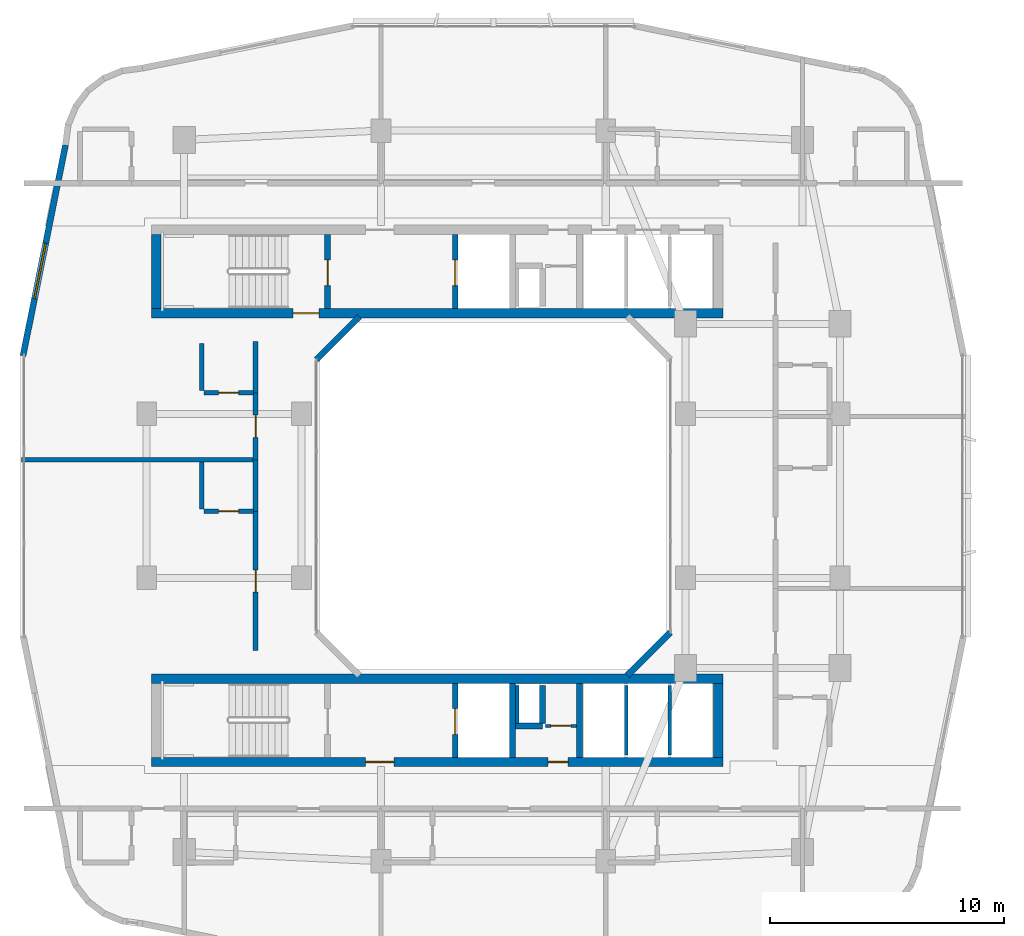
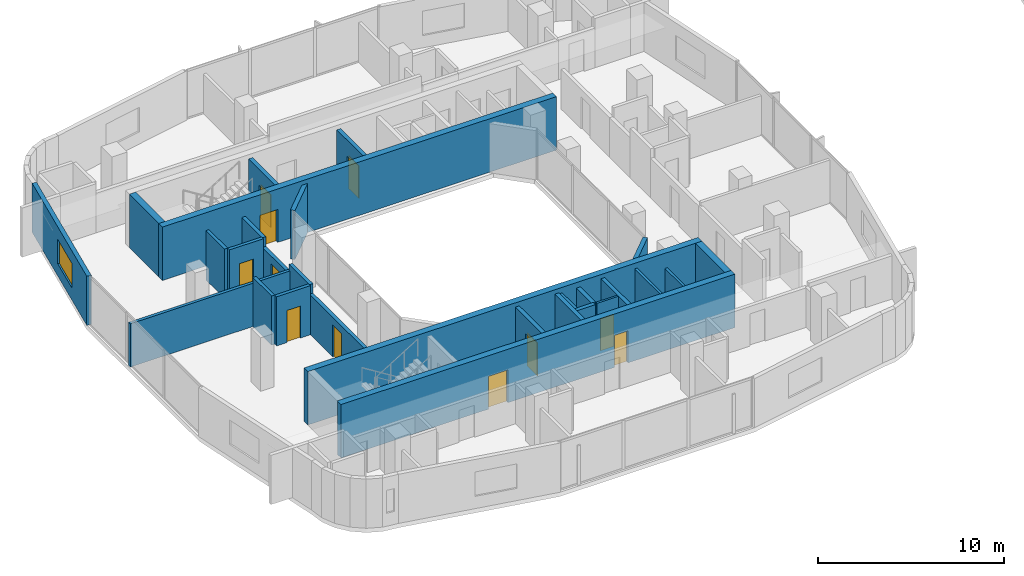
# One storey, part 13 of 26: 28 walls, 11 doors, 1 window, 12 openings.
"""IFC4 building model written with IfcOpenShell, lengths in metres."""

import ifcopenshell
import ifcopenshell.guid

model = None  # the IFC model being written
_history = None  # IfcOwnerHistory: only IFC2X3 demands one
_inside = {}  # id of a spatial element -> (the spatial element, [elements in it])
_under = {}  # id of a project, library or spatial element -> (it, [spatial elements below it])
_declared = {}  # id of a project -> (the project, [libraries it declares])
_typed = {}  # id of a type object -> (the type object, [elements of that type])
_made_of = {}  # id of a material, layer set ... -> (it, [elements and type objects made of it])


def new_model(schema):
    """Start an empty IFC model of exactly this schema.

    Asked for "IFC4X3", IfcOpenShell would pick the latest addendum, in which some entities
    have other attributes; the version numbers below select the first issue.
    IFC2X3 requires an IfcOwnerHistory on every rooted entity: one is made here for all.
    """
    global model, _history
    if schema == "IFC4X3":
        model = ifcopenshell.file(schema_version=(4, 3, 0, 0))
    else:
        model = ifcopenshell.file(schema=schema)
    _inside.clear()
    _under.clear()
    _declared.clear()
    _typed.clear()
    _made_of.clear()
    _history = None
    if model.schema == "IFC2X3":
        org = make("IfcOrganization", Name="unknown")
        user = make(
            "IfcPersonAndOrganization",
            ThePerson=make("IfcPerson", FamilyName="unknown"),
            TheOrganization=org,
        )
        app = make(
            "IfcApplication",
            ApplicationDeveloper=org,
            Version="unknown",
            ApplicationFullName="unknown",
            ApplicationIdentifier="unknown",
        )
        _history = make(
            "IfcOwnerHistory",
            OwningUser=user,
            OwningApplication=app,
            ChangeAction="ADDED",
            CreationDate=0,
        )
    return model


def make(cls, **values):
    """One entity of the class cls with the attributes given. An attribute that is None is left unset."""
    return model.create_entity(
        cls, **{name: value for name, value in values.items() if value is not None}
    )


def rooted(cls, **values):
    """An entity with a GlobalId (a new one), such as an element, a storey or a relation."""
    return make(cls, GlobalId=ifcopenshell.guid.new(), OwnerHistory=_history, **values)


def si_unit(unit_type, name, prefix=None):
    """IfcSIUnit, for example si_unit("LENGTHUNIT", "METRE", prefix="MILLI")."""
    return make("IfcSIUnit", UnitType=unit_type, Prefix=prefix, Name=name)


def derived_unit(unit_type, elements):
    """IfcDerivedUnit: a product of units, each with its exponent."""
    return make(
        "IfcDerivedUnit",
        Elements=[
            make("IfcDerivedUnitElement", Unit=unit, Exponent=power)
            for unit, power in elements
        ],
        UnitType=unit_type,
    )


def assignment(units):
    """IfcUnitAssignment: the units of a project."""
    return None if units is None else make("IfcUnitAssignment", Units=units)


def point(xyz):
    """IfcCartesianPoint."""
    return None if xyz is None else make("IfcCartesianPoint", Coordinates=xyz)


def direction(xyz):
    """IfcDirection."""
    return None if xyz is None else make("IfcDirection", DirectionRatios=xyz)


def frame(location, z_axis=None, x_axis=None):
    """IfcAxis2Placement3D, a coordinate frame: its origin and axes. An axis left out is left unset."""
    return make(
        "IfcAxis2Placement3D",
        Location=point(location),
        Axis=direction(z_axis),
        RefDirection=direction(x_axis),
    )


def frame_2d(location, x_axis=None):
    """IfcAxis2Placement2D, a coordinate frame in the plane: its origin and x axis."""
    return make(
        "IfcAxis2Placement2D", Location=point(location), RefDirection=direction(x_axis)
    )


def origin():
    """The frame at (0, 0, 0) with its axes left unset."""
    return frame((0.0, 0.0, 0.0))


def place(relative_to, where):
    """IfcLocalPlacement: puts the frame where relative to a parent placement (None: the world)."""
    return make(
        "IfcLocalPlacement", PlacementRelTo=relative_to, RelativePlacement=where
    )


def context(
    kind, dimensions, precision=None, world=None, true_north=None, identifier=None
):
    """IfcGeometricRepresentationContext, for example the 3D "Model" context."""
    return make(
        "IfcGeometricRepresentationContext",
        ContextIdentifier=identifier,
        ContextType=kind,
        CoordinateSpaceDimension=dimensions,
        Precision=precision,
        WorldCoordinateSystem=world,
        TrueNorth=true_north,
    )


def subcontext(parent, identifier, kind, view, scale=None):
    """IfcGeometricRepresentationSubContext, for example "Body" below "Model"."""
    return make(
        "IfcGeometricRepresentationSubContext",
        ContextIdentifier=identifier,
        ContextType=kind,
        ParentContext=parent,
        TargetScale=scale,
        TargetView=view,
    )


def project(units=None, contexts=None):
    """IfcProject with its units and contexts."""
    return rooted(
        "IfcProject",
        Name="project",
        RepresentationContexts=contexts,
        UnitsInContext=assignment(units),
    )


def spatial(cls, under=None, at=None, **own):
    """A site, building, storey or space (cls), placed at a placement, below another one or the project."""
    s = rooted(cls, ObjectPlacement=at, **own)
    if under is not None:
        _under.setdefault(under.id(), (under, []))[1].append(s)
    return s


def profile(cls, at=None, kind="AREA", **sizes):
    """A parametric profile (cls). Its sizes go by their IFC names, for example OverallWidth=200.0."""
    return make(cls, ProfileType=kind, Position=at, **sizes)


def rectangle(**sizes):
    """IfcRectangleProfileDef."""
    return profile("IfcRectangleProfileDef", **sizes)


def extrude(swept, where, along, depth):
    """IfcExtrudedAreaSolid: the profile swept, set in the frame where, extruded along a direction by depth."""
    return make(
        "IfcExtrudedAreaSolid",
        SweptArea=swept,
        Position=where,
        ExtrudedDirection=direction(along),
        Depth=depth,
    )


def shape(context_of_items, identifier, shape_type, items):
    """IfcShapeRepresentation: the items that make up one representation, for example the "Body"."""
    return make(
        "IfcShapeRepresentation",
        ContextOfItems=context_of_items,
        RepresentationIdentifier=identifier,
        RepresentationType=shape_type,
        Items=items,
    )


def material(Name=None, Category=None):
    """IfcMaterial."""
    return make("IfcMaterial", Name=Name, Category=Category)


def layer(
    of_material, thickness, ventilated=None, Name=None, Category=None, Priority=None
):
    """IfcMaterialLayer: one layer of a wall or slab, of a material (None: an air gap)."""
    return make(
        "IfcMaterialLayer",
        Material=of_material,
        LayerThickness=thickness,
        IsVentilated=ventilated,
        Name=Name,
        Category=Category,
        Priority=Priority,
    )


def layer_set(layers, Name=None):
    """IfcMaterialLayerSet."""
    return make("IfcMaterialLayerSet", MaterialLayers=layers, LayerSetName=Name)


def made_of(thing, what):
    """Note that an element or type object is made of a material, layer set ...; save() writes the relation."""
    if what is not None:
        _made_of.setdefault(what.id(), (what, []))[1].append(thing)
    return thing


def type_object(cls, material=None, **own):
    """A type object (cls), such as IfcWallType, which elements share."""
    return made_of(rooted(cls, **own), material)


def element(
    cls,
    number,
    at=None,
    inside=None,
    cuts=None,
    type_object=None,
    material=None,
    context=None,
    identifier="Body",
    shape_type=None,
    held_by="IfcProductDefinitionShape",
    body=None,
    shapes=None,
    **own,
):
    """One element of the class cls, such as IfcWall. Its Tag is "e" and its number.

    at: its placement. inside: the storey or other place that contains it. cuts: it is an
    opening in that element (IfcRelVoidsElement). A single representation is given by context,
    identifier, shape_type and body (its items); several are given by shapes. held_by: the class
    of the entity that holds the representations. save() writes the other relations.
    """
    e = rooted(cls, Tag="e%d" % number, ObjectPlacement=at, **own)
    if body is not None:
        shapes = [shape(context, identifier, shape_type, body)]
    if shapes is not None:
        e.Representation = make(held_by, Representations=shapes)
    if inside is not None:
        _inside.setdefault(inside.id(), (inside, []))[1].append(e)
    if cuts is not None:
        rooted(
            "IfcRelVoidsElement", RelatingBuildingElement=cuts, RelatedOpeningElement=e
        )
    if type_object is not None:
        _typed.setdefault(type_object.id(), (type_object, []))[1].append(e)
    return made_of(e, material)


def fill(opening, filler):
    """IfcRelFillsElement: the door or window that sits in an opening."""
    return rooted(
        "IfcRelFillsElement",
        RelatingOpeningElement=opening,
        RelatedBuildingElement=filler,
    )


def aggregate(whole, parts):
    """IfcRelAggregates: a whole, such as a stair, and the parts it consists of."""
    return rooted("IfcRelAggregates", RelatingObject=whole, RelatedObjects=parts)


def save(model, path):
    """Write the relations noted so far, then the file.

    IfcRelAggregates (storeys below a building ...), IfcRelContainedInSpatialStructure (elements
    in a storey), IfcRelDefinesByType, IfcRelAssociatesMaterial and IfcRelDeclares: one each for
    every whole, place, type object, material and project.
    """
    for whole, parts in _under.values():
        aggregate(whole, parts)
    for where, things in _inside.values():
        rooted(
            "IfcRelContainedInSpatialStructure",
            RelatedElements=things,
            RelatingStructure=where,
        )
    for kind, things in _typed.values():
        rooted("IfcRelDefinesByType", RelatedObjects=things, RelatingType=kind)
    for what, things in _made_of.values():
        rooted("IfcRelAssociatesMaterial", RelatedObjects=things, RelatingMaterial=what)
    for by, libraries in _declared.values():
        rooted("IfcRelDeclares", RelatingContext=by, RelatedDefinitions=libraries)
    model.write(path)


model = new_model("IFC4")

# Units and contexts
model_context = context("Model", 3, precision=1e-05, world=origin(), true_north=direction((0.0, 1.0)))
body_context = subcontext(model_context, "Body", "Model", "MODEL_VIEW")
ifc_project = project(units=[si_unit("LENGTHUNIT", "METRE"), si_unit("AREAUNIT", "SQUARE_METRE"), si_unit("VOLUMEUNIT", "CUBIC_METRE"), si_unit("PLANEANGLEUNIT", "RADIAN"), si_unit("MASSUNIT", "GRAM", prefix="KILO"), derived_unit("THERMALTRANSMITTANCEUNIT", [(si_unit("POWERUNIT", "WATT"), 1), (si_unit("LENGTHUNIT", "METRE"), -2), (si_unit("THERMODYNAMICTEMPERATUREUNIT", "KELVIN"), -1)])], contexts=[model_context])

# Site, building, storey
site_placement = place(None, origin())
site = spatial("IfcSite", under=ifc_project, at=site_placement, CompositionType="ELEMENT")
building_placement = place(site_placement, origin())
building = spatial("IfcBuilding", under=site, at=building_placement, Name="Kivonza Crest Hotel", CompositionType="ELEMENT")
storey_placement = place(building_placement, frame((0.0, 0.0, 105.5)))
storey = spatial("IfcBuildingStorey", under=building, at=storey_placement, Name="L28", CompositionType="ELEMENT", Elevation=105.5)

# Walls
ifc_material_1 = material(Name="High-density acoustic masonry inter-tenancy wall", Category="masonry")
ifc_layer_1 = layer(ifc_material_1, 0.179931640625)
ifc_layer_set_1 = layer_set([ifc_layer_1], Name="High-density acoustic masonry inter-tenancy wall")
wall_type_1 = type_object("IfcWallType", Name="WL-ACOU-180", PredefinedType="SOLIDWALL", material=ifc_layer_set_1)
wall_1_placement = place(storey_placement, frame((0.860107421875, 26.5400390625, 0.0), z_axis=(0.0, 0.0, 1.0), x_axis=(1.0, 0.0, 0.0)))
element("IfcWall", 1, at=wall_1_placement, inside=storey, type_object=wall_type_1, Name="L28 interior partition WA-L28-T1W-DIV1", PredefinedType="SOLIDWALL", context=body_context, shape_type="SweptSolid", body=[
    extrude(rectangle(XDim=9.989990234375, YDim=0.179931640625, at=frame_2d((4.9951171875, 0.0))), origin(), (0.0, 0.0, 1.0), 2.8349609375),
])
ifc_material_2 = material(Name="Autoclaved aerated concrete blockwork", Category="masonry")
ifc_layer_2 = layer(ifc_material_2, 0.219970703125)
ifc_layer_set_2 = layer_set([ifc_layer_2], Name="Autoclaved aerated concrete blockwork")
wall_type_2 = type_object("IfcWallType", Name="WL-ACOU-220", PredefinedType="SOLIDWALL", material=ifc_layer_set_2)
wall_2_placement = place(storey_placement, frame((10.85009765625, 24.340087890625, 0.0), z_axis=(0.0, 0.0, 1.0), x_axis=(0.0, 1.0, 0.0)))
element("IfcWall", 2, at=wall_2_placement, inside=storey, type_object=wall_type_2, Name="L28 interior partition WA-L28-W08-BCORR", PredefinedType="SOLIDWALL", context=body_context, shape_type="SweptSolid", body=[
    extrude(rectangle(XDim=2.199951171875, YDim=0.219970703125, at=frame_2d((1.10009765625, 0.0))), origin(), (0.0, 0.0, 1.0), 3.219970703125),
])

# Wall, opening, door
wall_3_placement = place(storey_placement, frame((10.85009765625, 18.39990234375, 0.0), z_axis=(0.0, 0.0, 1.0), x_axis=(0.0, 1.0, 0.0)))
wall_3 = element("IfcWall", 3, at=wall_3_placement, inside=storey, type_object=wall_type_2, Name="L28 interior partition WA-L28-W08-MCORR", PredefinedType="SOLIDWALL", context=body_context, shape_type="SweptSolid", body=[
    extrude(rectangle(XDim=5.940185546875, YDim=0.219970703125, at=frame_2d((2.97021484375, 0.0))), origin(), (0.0, 0.0, 1.0), 2.594970703125),
])
opening_1_placement = place(wall_3_placement, frame((2.4951171875, 0.0, 0.0)))
opening_1 = element("IfcOpeningElement", 4, at=opening_1_placement, cuts=wall_3, Name="Opening DU-60", PredefinedType="OPENING", context=body_context, shape_type="SweptSolid", body=[
    extrude(rectangle(XDim=0.949951171875, YDim=2.10009765625, at=frame_2d((0.47509765625, 1.050048828125))), frame((0.0, 0.1201171875, 0.0), z_axis=(0.0, -1.0, 0.0), x_axis=(1.0, 0.0, 0.0)), (0.0, 0.0, 1.0), 0.239990234375),
])
ifc_material_3 = material(Name="Hardwood timber oak", Category="wood")
door_type_1 = type_object("IfcDoorType", Name="DR-UNIT-950", OperationType="NOTDEFINED", PredefinedType="DOOR", material=ifc_material_3)
door_1_placement = place(opening_1_placement, origin())
door_1 = element("IfcDoor", 5, at=door_1_placement, inside=storey, type_object=door_type_1, Name="L28 W08 guest unit entrance fire door", OperationType="SINGLE_SWING_RIGHT", OverallHeight=2.10009765625, OverallWidth=0.949951171875, PredefinedType="DOOR", context=body_context, shape_type="SweptSolid", body=[
    extrude(rectangle(XDim=0.949951171875, YDim=2.10009765625, at=frame_2d((0.47509765625, 1.050048828125))), frame((0.0, 0.02490234375, 0.0), z_axis=(0.0, -1.0, 0.0), x_axis=(1.0, 0.0, 0.0)), (0.0, 0.0, 1.0), 0.050048828125),
])
fill(opening_1, door_1)

# Wall
wall_4_placement = place(storey_placement, frame((10.85009765625, 29.39990234375, 0.0), z_axis=(0.0, 0.0, 1.0), x_axis=(0.0, 1.0, 0.0)))
element("IfcWall", 6, at=wall_4_placement, inside=storey, type_object=wall_type_2, Name="L28 interior partition WA-L28-W09-BCORR", PredefinedType="SOLIDWALL", context=body_context, shape_type="SweptSolid", body=[
    extrude(rectangle(XDim=2.2001953125, YDim=0.219970703125, at=frame_2d((1.10009765625, 0.0))), origin(), (0.0, 0.0, 1.0), 3.219970703125),
])

# Wall, opening, door
wall_5_placement = place(storey_placement, frame((10.85009765625, 26.5400390625, 0.0), z_axis=(0.0, 0.0, 1.0), x_axis=(0.0, 1.0, 0.0)))
wall_5 = element("IfcWall", 7, at=wall_5_placement, inside=storey, type_object=wall_type_2, Name="L28 interior partition WA-L28-W09-MCORR", PredefinedType="SOLIDWALL", context=body_context, shape_type="SweptSolid", body=[
    extrude(rectangle(XDim=2.85986328125, YDim=0.219970703125, at=frame_2d((1.429931640625, 0.0))), origin(), (0.0, 0.0, 1.0), 2.594970703125),
])
opening_2_placement = place(wall_5_placement, frame((0.955078125, 0.0, 0.0)))
opening_2 = element("IfcOpeningElement", 8, at=opening_2_placement, cuts=wall_5, Name="Opening DU-60", PredefinedType="OPENING", context=body_context, shape_type="SweptSolid", body=[
    extrude(rectangle(XDim=0.949951171875, YDim=2.10009765625, at=frame_2d((0.47509765625, 1.050048828125))), frame((0.0, 0.1201171875, 0.0), z_axis=(0.0, -1.0, 0.0), x_axis=(1.0, 0.0, 0.0)), (0.0, 0.0, 1.0), 0.239990234375),
])
door_2_placement = place(opening_2_placement, origin())
door_2 = element("IfcDoor", 9, at=door_2_placement, inside=storey, type_object=door_type_1, Name="L28 W09 guest unit entrance fire door", OperationType="SINGLE_SWING_LEFT", OverallHeight=2.10009765625, OverallWidth=0.949951171875, PredefinedType="DOOR", context=body_context, shape_type="SweptSolid", body=[
    extrude(rectangle(XDim=0.949951171875, YDim=2.10009765625, at=frame_2d((0.47509765625, 1.050048828125))), frame((0.0, 0.02490234375, 0.0), z_axis=(0.0, -1.0, 0.0), x_axis=(1.0, 0.0, 0.0)), (0.0, 0.0, 1.0), 0.050048828125),
])
fill(opening_2, door_2)

ifc_material_4 = material(Name="Concrete C50/60", Category="concrete")
ifc_layer_3 = layer(ifc_material_4, 0.39990234375)
ifc_layer_set_3 = layer_set([ifc_layer_3], Name="Concrete C50/60")
wall_type_3 = type_object("IfcWallType", Name="WL-CORE-400", PredefinedType="SHEAR", material=ifc_layer_set_3)
wall_6_placement = place(storey_placement, frame((6.39990234375, 32.800048828125, 0.0), z_axis=(0.0, 0.0, 1.0), x_axis=(1.0, 0.0, 0.0)))
wall_6 = element("IfcWall", 10, at=wall_6_placement, inside=storey, type_object=wall_type_3, Name="Core wall T1-N South L28", PredefinedType="SHEAR", context=body_context, shape_type="SweptSolid", body=[
    extrude(rectangle(XDim=24.400146484375, YDim=0.39990234375, at=frame_2d((12.2001953125, 0.0))), origin(), (0.0, 0.0, 1.0), 3.5),
])
opening_3_placement = place(wall_6_placement, frame((6.050048828125, 0.0, 0.0)))
opening_3 = element("IfcOpeningElement", 11, at=opening_3_placement, cuts=wall_6, Name="Opening DF-120", PredefinedType="OPENING", context=body_context, shape_type="SweptSolid", body=[
    extrude(rectangle(XDim=1.10009765625, YDim=2.14990234375, at=frame_2d((0.550048828125, 1.074951171875))), frame((0.0, 0.2099609375, 0.0), z_axis=(0.0, -1.0, 0.0), x_axis=(1.0, 0.0, 0.0)), (0.0, 0.0, 1.0), 0.419921875),
])
ifc_material_5 = material(Name="Galvanised steel", Category="steel")
door_type_2 = type_object("IfcDoorType", Name="DR-FD120-1100", OperationType="NOTDEFINED", PredefinedType="DOOR", material=ifc_material_5)
door_3_placement = place(opening_3_placement, origin())
door_3 = element("IfcDoor", 12, at=door_3_placement, inside=storey, type_object=door_type_2, Name="L28 West corridor stair access fire door", OperationType="SINGLE_SWING_LEFT", OverallHeight=2.14990234375, OverallWidth=1.10009765625, PredefinedType="DOOR", context=body_context, shape_type="SweptSolid", body=[
    extrude(rectangle(XDim=1.10009765625, YDim=2.14990234375, at=frame_2d((0.550048828125, 1.074951171875))), frame((0.0, 0.02490234375, 0.0), z_axis=(0.0, -1.0, 0.0), x_axis=(1.0, 0.0, 0.0)), (0.0, 0.0, 1.0), 0.050048828125),
])
fill(opening_3, door_3)

# Wall
wall_7_placement = place(storey_placement, frame((6.60009765625, 33.0, 0.0), z_axis=(0.0, 0.0, 1.0), x_axis=(0.0, 1.0, 0.0)))
element("IfcWall", 13, at=wall_7_placement, inside=storey, type_object=wall_type_3, Name="Core wall T1-N West L28", PredefinedType="SHEAR", context=body_context, shape_type="SweptSolid", body=[
    extrude(rectangle(XDim=3.159912109375, YDim=0.39990234375, at=frame_2d((1.580078125, 0.0))), origin(), (0.0, 0.0, 1.0), 3.5),
])

# Wall, openings, doors
wall_8_placement = place(storey_placement, frame((6.39990234375, 13.639892578125, 0.0), z_axis=(0.0, 0.0, 1.0), x_axis=(1.0, 0.0, 0.0)))
wall_8 = element("IfcWall", 14, at=wall_8_placement, inside=storey, type_object=wall_type_3, Name="Core wall T1-S South L28", PredefinedType="SHEAR", context=body_context, shape_type="SweptSolid", body=[
    extrude(rectangle(XDim=24.400146484375, YDim=0.39990234375, at=frame_2d((12.2001953125, 0.0))), origin(), (0.0, 0.0, 1.0), 3.5),
])
opening_4_placement = place(wall_8_placement, frame((9.14990234375, 0.0, 0.0)))
opening_4 = element("IfcOpeningElement", 15, at=opening_4_placement, cuts=wall_8, Name="Opening DF-60", PredefinedType="OPENING", context=body_context, shape_type="SweptSolid", body=[
    extrude(rectangle(XDim=1.199951171875, YDim=2.14990234375, at=frame_2d((0.60009765625, 1.074951171875))), frame((0.0, 0.2099609375, 0.0), z_axis=(0.0, -1.0, 0.0), x_axis=(1.0, 0.0, 0.0)), (0.0, 0.0, 1.0), 0.419921875),
])
opening_5_placement = place(wall_8_placement, frame((16.93994140625, 0.0, 0.0)))
opening_5 = element("IfcOpeningElement", 16, at=opening_5_placement, cuts=wall_8, Name="Opening DF-60R", PredefinedType="OPENING", context=body_context, shape_type="SweptSolid", body=[
    extrude(rectangle(XDim=0.85009765625, YDim=2.10009765625, at=frame_2d((0.425048828125, 1.050048828125))), frame((0.0, 0.2099609375, 0.0), z_axis=(0.0, -1.0, 0.0), x_axis=(1.0, 0.0, 0.0)), (0.0, 0.0, 1.0), 0.419921875),
])
door_type_3 = type_object("IfcDoorType", Name="DR-FD60-1200", OperationType="NOTDEFINED", PredefinedType="DOOR", material=ifc_material_3)
door_4_placement = place(opening_4_placement, frame((1.199951171875, 0.0, 0.0), z_axis=(0.0, 0.0, 1.0), x_axis=(-1.0, 0.0, 0.0)))
door_4 = element("IfcDoor", 17, at=door_4_placement, inside=storey, type_object=door_type_3, Name="L28 T1-S firefighting lobby fire door", OperationType="SINGLE_SWING_LEFT", OverallHeight=2.14990234375, OverallWidth=1.199951171875, PredefinedType="DOOR", context=body_context, shape_type="SweptSolid", body=[
    extrude(rectangle(XDim=1.199951171875, YDim=2.14990234375, at=frame_2d((0.60009765625, 1.074951171875))), frame((0.0, 0.02490234375, 0.0), z_axis=(0.0, -1.0, 0.0), x_axis=(1.0, 0.0, 0.0)), (0.0, 0.0, 1.0), 0.050048828125),
])
fill(opening_4, door_4)
door_type_4 = type_object("IfcDoorType", Name="DR-FD60-850", OperationType="NOTDEFINED", PredefinedType="DOOR", material=ifc_material_3)
door_5_placement = place(opening_5_placement, frame((0.85009765625, 0.0, 0.0), z_axis=(0.0, 0.0, 1.0), x_axis=(-1.0, 0.0, 0.0)))
door_5 = element("IfcDoor", 18, at=door_5_placement, inside=storey, type_object=door_type_4, Name="L28 T1-S core room door", OperationType="SINGLE_SWING_RIGHT", OverallHeight=2.10009765625, OverallWidth=0.85009765625, PredefinedType="DOOR", context=body_context, shape_type="SweptSolid", body=[
    extrude(rectangle(XDim=0.85009765625, YDim=2.10009765625, at=frame_2d((0.425048828125, 1.050048828125))), frame((0.0, 0.02490234375, 0.0), z_axis=(0.0, -1.0, 0.0), x_axis=(1.0, 0.0, 0.0)), (0.0, 0.0, 1.0), 0.050048828125),
])
fill(opening_5, door_5)

# Walls
wall_9_placement = place(storey_placement, frame((6.39990234375, 17.199951171875, 0.0), z_axis=(0.0, 0.0, 1.0), x_axis=(1.0, 0.0, 0.0)))
element("IfcWall", 19, at=wall_9_placement, inside=storey, type_object=wall_type_3, Name="Core wall T1-S North L28", PredefinedType="SHEAR", context=body_context, shape_type="SweptSolid", body=[
    extrude(rectangle(XDim=24.400146484375, YDim=0.39990234375, at=frame_2d((12.2001953125, 0.0))), origin(), (0.0, 0.0, 1.0), 3.5),
])
wall_10_placement = place(storey_placement, frame((30.60009765625, 13.840087890625, 0.0), z_axis=(0.0, 0.0, 1.0), x_axis=(0.0, 1.0, 0.0)))
element("IfcWall", 20, at=wall_10_placement, inside=storey, type_object=wall_type_3, Name="Core wall T1-S East L28", PredefinedType="SHEAR", context=body_context, shape_type="SweptSolid", body=[
    extrude(rectangle(XDim=3.159912109375, YDim=0.39990234375, at=frame_2d((1.580078125, 0.0))), origin(), (0.0, 0.0, 1.0), 3.5),
])

# Wall, opening, window
ifc_material_6 = material(Name="Precast concrete C40/50", Category="concrete")
ifc_layer_4 = layer(ifc_material_6, 0.260009765625)
ifc_layer_set_4 = layer_set([ifc_layer_4], Name="Precast concrete C40/50")
wall_type_4 = type_object("IfcWallType", Name="WL-EXT-260", PredefinedType="STANDARD", material=ifc_layer_set_4)
wall_11_placement = place(storey_placement, frame((2.72900390625, 39.98193359375, 0.0), z_axis=(0.0, 0.0, 1.0), x_axis=(-0.197435082048, -0.980315963543, 0.0)))
wall_11 = element("IfcWall", 21, at=wall_11_placement, inside=storey, type_object=wall_type_4, Name="L28 T1 exterior insulated wall 34", PredefinedType="STANDARD", context=body_context, shape_type="SweptSolid", body=[
    extrude(rectangle(XDim=9.1826171875, YDim=0.260009765625, at=frame_2d((4.59130859375, 0.0))), origin(), (0.0, 0.0, 1.0), 3.219970703125),
])
opening_6_placement = place(wall_11_placement, frame((4.285888671875, 0.0, 0.800048828125)))
opening_6 = element("IfcOpeningElement", 22, at=opening_6_placement, cuts=wall_11, Name="Opening WN-05", PredefinedType="OPENING", context=body_context, shape_type="SweptSolid", body=[
    extrude(rectangle(XDim=2.39990234375, YDim=1.60009765625, at=frame_2d((1.199951171875, 0.800048828125))), frame((0.0, 0.14013671875, 0.0), z_axis=(0.0, -1.0, 0.0), x_axis=(1.0, 0.0, 0.0)), (0.0, 0.0, 1.0), 0.280029296875),
])
ifc_material_7 = material(Name="Thermally broken bronze aluminium and low-E double glazing", Category="aluminium")
window_type = type_object("IfcWindowType", Name="WN-240x160", PartitioningType="TRIPLE_PANEL_VERTICAL", PredefinedType="WINDOW", material=ifc_material_7)
window_placement = place(opening_6_placement, origin())
window = element("IfcWindow", 23, at=window_placement, inside=storey, type_object=window_type, Name="L28 T1 facade window 34", OverallHeight=1.60009765625, OverallWidth=2.39990234375, PartitioningType="SINGLE_PANEL", PredefinedType="WINDOW", context=body_context, shape_type="SweptSolid", body=[
    extrude(rectangle(XDim=2.39990234375, YDim=1.60009765625, at=frame_2d((1.199951171875, 0.800048828125))), frame((0.0, 0.030029296875, 0.0), z_axis=(0.0, -1.0, 0.0), x_axis=(1.0, 0.0, 0.0)), (0.0, 0.0, 1.0), 0.06005859375),
])
fill(opening_6, window)

# Walls
for number, where, z_axis, x_axis, name in (
    (24, (26.721923828125, 17.337890625, 0.0), (0.0, 0.0, 1.0), (0.707059717605, 0.707153841636, 0.0), "L28 T1 light-well exterior wall 2"),
    (25, (15.278076171875, 32.662109375, 0.0), (0.0, 0.0, 1.0), (-0.707059717605, -0.707153841636, 0.0), "L28 T1 light-well exterior wall 6"),
):
    element("IfcWall", number, at=place(storey_placement, frame(where, z_axis=z_axis, x_axis=x_axis)), inside=storey, type_object=wall_type_4, Name=name, PredefinedType="STANDARD", context=body_context, shape_type="SweptSolid", body=[
        extrude(rectangle(XDim=2.59375, YDim=0.260009765625, at=frame_2d((1.296875, 0.0))), origin(), (0.0, 0.0, 1.0), 3.219970703125),
    ])
ifc_material_8 = material(Name="Concrete blockwork fire-compartment wall", Category="masonry")
ifc_layer_5 = layer(ifc_material_8, 0.25)
ifc_layer_set_5 = layer_set([ifc_layer_5], Name="Concrete blockwork fire-compartment wall")
wall_type_5 = type_object("IfcWallType", Name="WL-FIRE-250", PredefinedType="SOLIDWALL", material=ifc_layer_set_5)
wall_12_placement = place(storey_placement, frame((23.10009765625, 15.280029296875, 0.0), z_axis=(0.0, 0.0, 1.0), x_axis=(0.0, 1.0, 0.0)))
element("IfcWall", 26, at=wall_12_placement, inside=storey, type_object=wall_type_5, Name="L28 interior partition WA-L28-T1-S-MEPR-E", PredefinedType="SOLIDWALL", context=body_context, shape_type="SweptSolid", body=[
    extrude(rectangle(XDim=1.619873046875, YDim=0.25, at=frame_2d((0.81005859375, 0.0))), origin(), (0.0, 0.0, 1.0), 3.219970703125),
])
wall_13_placement = place(storey_placement, frame((21.949951171875, 15.179931640625, 0.0), z_axis=(0.0, 0.0, 1.0), x_axis=(1.0, 0.0, 0.0)))
element("IfcWall", 27, at=wall_13_placement, inside=storey, type_object=wall_type_5, Name="L28 interior partition WA-L28-T1-S-MEPR-H", PredefinedType="SOLIDWALL", context=body_context, shape_type="SweptSolid", body=[
    extrude(rectangle(XDim=1.150146484375, YDim=0.25, at=frame_2d((0.5751953125, 0.0))), origin(), (0.0, 0.0, 1.0), 3.219970703125),
])

# Wall, opening, door
ifc_material_9 = material(Name="Metal-stud gypsum board partition", Category="gypsum")
ifc_layer_6 = layer(ifc_material_9, 0.125)
ifc_layer_set_6 = layer_set([ifc_layer_6], Name="Metal-stud gypsum board partition")
wall_type_6 = type_object("IfcWallType", Name="WL-PART-125", PredefinedType="PARTITIONING", material=ifc_layer_set_6)
wall_14_placement = place(storey_placement, frame((23.219970703125, 15.179931640625, 0.0), z_axis=(0.0, 0.0, 1.0), x_axis=(1.0, 0.0, 0.0)))
wall_14 = element("IfcWall", 28, at=wall_14_placement, inside=storey, type_object=wall_type_6, Name="L28 interior partition WP-L28-T1-S-SV3H", PredefinedType="PARTITIONING", context=body_context, shape_type="SweptSolid", body=[
    extrude(rectangle(XDim=1.330078125, YDim=0.125, at=frame_2d((0.6650390625, 0.0))), origin(), (0.0, 0.0, 1.0), 3.219970703125),
])
opening_7_placement = place(wall_14_placement, frame((0.239990234375, 0.0, 0.0)))
opening_7 = element("IfcOpeningElement", 29, at=opening_7_placement, cuts=wall_14, Name="Opening DI-85", PredefinedType="OPENING", context=body_context, shape_type="SweptSolid", body=[
    extrude(rectangle(XDim=0.85009765625, YDim=2.10009765625, at=frame_2d((0.425048828125, 1.050048828125))), frame((0.0, 0.072509765625, 0.0), z_axis=(0.0, -1.0, 0.0), x_axis=(1.0, 0.0, 0.0)), (0.0, 0.0, 1.0), 0.14501953125),
])
door_type_5 = type_object("IfcDoorType", Name="DR-INT-850", OperationType="NOTDEFINED", PredefinedType="DOOR", material=ifc_material_3)
door_6_placement = place(opening_7_placement, origin())
door_6 = element("IfcDoor", 30, at=door_6_placement, inside=storey, type_object=door_type_5, Name="L28 T1-S inner manifold door", OperationType="SINGLE_SWING_LEFT", OverallHeight=2.10009765625, OverallWidth=0.85009765625, PredefinedType="DOOR", context=body_context, shape_type="SweptSolid", body=[
    extrude(rectangle(XDim=0.85009765625, YDim=2.10009765625, at=frame_2d((0.425048828125, 1.050048828125))), frame((0.0, 0.02490234375, 0.0), z_axis=(0.0, -1.0, 0.0), x_axis=(1.0, 0.0, 0.0)), (0.0, 0.0, 1.0), 0.050048828125),
])
fill(opening_7, door_6)

# Walls
ifc_material_10 = material(Name="Twin-stud acoustic gypsum board partition", Category="gypsum")
ifc_layer_7 = layer(ifc_material_10, 0.14990234375)
ifc_layer_set_7 = layer_set([ifc_layer_7], Name="Twin-stud acoustic gypsum board partition")
wall_type_7 = type_object("IfcWallType", Name="WL-PART-150", PredefinedType="PARTITIONING", material=ifc_layer_set_7)
wall_15_placement = place(storey_placement, frame((22.030029296875, 15.280029296875, 0.0), z_axis=(0.0, 0.0, 1.0), x_axis=(0.0, 1.0, 0.0)))
element("IfcWall", 31, at=wall_15_placement, inside=storey, type_object=wall_type_7, Name="L28 interior partition WA-L28-T1-S-MEPR-W", PredefinedType="PARTITIONING", context=body_context, shape_type="SweptSolid", body=[
    extrude(rectangle(XDim=1.619873046875, YDim=0.14990234375, at=frame_2d((0.81005859375, 0.0))), origin(), (0.0, 0.0, 1.0), 3.219970703125),
])
wall_16_placement = place(storey_placement, frame((26.6669921875, 13.93994140625, 0.0), z_axis=(0.0, 0.0, 1.0), x_axis=(0.0, 1.0, 0.0)))
element("IfcWall", 32, at=wall_16_placement, inside=storey, type_object=wall_type_7, Name="L28 interior partition WP-L28-T1-S-BSH-1", PredefinedType="PARTITIONING", context=body_context, shape_type="SweptSolid", body=[
    extrude(rectangle(XDim=2.9599609375, YDim=0.14990234375, at=frame_2d((1.47998046875, 0.0))), origin(), (0.0, 0.0, 1.0), 3.219970703125),
])
wall_17_placement = place(storey_placement, frame((28.532958984375, 13.93994140625, 0.0), z_axis=(0.0, 0.0, 1.0), x_axis=(0.0, 1.0, 0.0)))
element("IfcWall", 33, at=wall_17_placement, inside=storey, type_object=wall_type_7, Name="L28 interior partition WP-L28-T1-S-BSH-2", PredefinedType="PARTITIONING", context=body_context, shape_type="SweptSolid", body=[
    extrude(rectangle(XDim=2.9599609375, YDim=0.14990234375, at=frame_2d((1.47998046875, 0.0))), origin(), (0.0, 0.0, 1.0), 2.594970703125),
])

# Wall, opening, door
ifc_material_11 = material(Name="Moisture-resistant plumbing chase partition wall", Category="gypsum")
ifc_layer_8 = layer(ifc_material_11, 0.199951171875)
ifc_layer_set_8 = layer_set([ifc_layer_8], Name="Moisture-resistant plumbing chase partition wall")
wall_type_8 = type_object("IfcWallType", Name="WL-PLUMB-200", PredefinedType="PLUMBINGWALL", material=ifc_layer_set_8)
wall_18_placement = place(storey_placement, frame((8.64990234375, 24.340087890625, 0.0), z_axis=(0.0, 0.0, 1.0), x_axis=(1.0, 0.0, 0.0)))
wall_18 = element("IfcWall", 34, at=wall_18_placement, inside=storey, type_object=wall_type_8, Name="L28 interior partition WW-L28-W08-BH", PredefinedType="PLUMBINGWALL", context=body_context, shape_type="SweptSolid", body=[
    extrude(rectangle(XDim=2.10009765625, YDim=0.199951171875, at=frame_2d((1.050048828125, 0.0))), origin(), (0.0, 0.0, 1.0), 3.219970703125),
])
opening_8_placement = place(wall_18_placement, frame((0.625, 0.0, 0.0)))
opening_8 = element("IfcOpeningElement", 35, at=opening_8_placement, cuts=wall_18, Name="Opening DI-85", PredefinedType="OPENING", context=body_context, shape_type="SweptSolid", body=[
    extrude(rectangle(XDim=0.85009765625, YDim=2.10009765625, at=frame_2d((0.425048828125, 1.050048828125))), frame((0.0, 0.10986328125, 0.0), z_axis=(0.0, -1.0, 0.0), x_axis=(1.0, 0.0, 0.0)), (0.0, 0.0, 1.0), 0.219970703125),
])
door_7_placement = place(opening_8_placement, frame((0.85009765625, 0.0, 0.0), z_axis=(0.0, 0.0, 1.0), x_axis=(-1.0, 0.0, 0.0)))
door_7 = element("IfcDoor", 36, at=door_7_placement, inside=storey, type_object=door_type_5, Name="L28 W08 en-suite bathroom door", OperationType="SINGLE_SWING_LEFT", OverallHeight=2.10009765625, OverallWidth=0.85009765625, PredefinedType="DOOR", context=body_context, shape_type="SweptSolid", body=[
    extrude(rectangle(XDim=0.85009765625, YDim=2.10009765625, at=frame_2d((0.425048828125, 1.050048828125))), frame((0.0, 0.02490234375, 0.0), z_axis=(0.0, -1.0, 0.0), x_axis=(1.0, 0.0, 0.0)), (0.0, 0.0, 1.0), 0.050048828125),
])
fill(opening_8, door_7)

# Wall
wall_19_placement = place(storey_placement, frame((8.550048828125, 24.43994140625, 0.0), z_axis=(0.0, 0.0, 1.0), x_axis=(0.0, 1.0, 0.0)))
element("IfcWall", 37, at=wall_19_placement, inside=storey, type_object=wall_type_8, Name="L28 interior partition WW-L28-W08-BV", PredefinedType="PLUMBINGWALL", context=body_context, shape_type="SweptSolid", body=[
    extrude(rectangle(XDim=2.0, YDim=0.199951171875, at=frame_2d((1.0, 0.0))), origin(), (0.0, 0.0, 1.0), 3.219970703125),
])

# Wall, opening, door
wall_20_placement = place(storey_placement, frame((8.64990234375, 29.39990234375, 0.0), z_axis=(0.0, 0.0, 1.0), x_axis=(1.0, 0.0, 0.0)))
wall_20 = element("IfcWall", 38, at=wall_20_placement, inside=storey, type_object=wall_type_8, Name="L28 interior partition WW-L28-W09-BH", PredefinedType="PLUMBINGWALL", context=body_context, shape_type="SweptSolid", body=[
    extrude(rectangle(XDim=2.10009765625, YDim=0.199951171875, at=frame_2d((1.050048828125, 0.0))), origin(), (0.0, 0.0, 1.0), 3.219970703125),
])
opening_9_placement = place(wall_20_placement, frame((0.625, 0.0, 0.0)))
opening_9 = element("IfcOpeningElement", 39, at=opening_9_placement, cuts=wall_20, Name="Opening DI-85", PredefinedType="OPENING", context=body_context, shape_type="SweptSolid", body=[
    extrude(rectangle(XDim=0.85009765625, YDim=2.10009765625, at=frame_2d((0.425048828125, 1.050048828125))), frame((0.0, 0.10986328125, 0.0), z_axis=(0.0, -1.0, 0.0), x_axis=(1.0, 0.0, 0.0)), (0.0, 0.0, 1.0), 0.219970703125),
])
door_8_placement = place(opening_9_placement, frame((0.85009765625, 0.0, 0.0), z_axis=(0.0, 0.0, 1.0), x_axis=(-1.0, 0.0, 0.0)))
door_8 = element("IfcDoor", 40, at=door_8_placement, inside=storey, type_object=door_type_5, Name="L28 W09 en-suite bathroom door", OperationType="SINGLE_SWING_RIGHT", OverallHeight=2.10009765625, OverallWidth=0.85009765625, PredefinedType="DOOR", context=body_context, shape_type="SweptSolid", body=[
    extrude(rectangle(XDim=0.85009765625, YDim=2.10009765625, at=frame_2d((0.425048828125, 1.050048828125))), frame((0.0, 0.02490234375, 0.0), z_axis=(0.0, -1.0, 0.0), x_axis=(1.0, 0.0, 0.0)), (0.0, 0.0, 1.0), 0.050048828125),
])
fill(opening_9, door_8)

# Wall
wall_21_placement = place(storey_placement, frame((8.550048828125, 29.5, 0.0), z_axis=(0.0, 0.0, 1.0), x_axis=(0.0, 1.0, 0.0)))
element("IfcWall", 41, at=wall_21_placement, inside=storey, type_object=wall_type_8, Name="L28 interior partition WW-L28-W09-BV", PredefinedType="PLUMBINGWALL", context=body_context, shape_type="SweptSolid", body=[
    extrude(rectangle(XDim=2.0, YDim=0.199951171875, at=frame_2d((1.0, 0.0))), origin(), (0.0, 0.0, 1.0), 3.219970703125),
])

# Wall, opening, door
ifc_layer_9 = layer(ifc_material_4, 0.25)
ifc_layer_set_9 = layer_set([ifc_layer_9], Name="Concrete C50/60")
wall_type_9 = type_object("IfcWallType", Name="WL-SHAFT-250", PredefinedType="STANDARD", material=ifc_layer_set_9)
wall_22_placement = place(storey_placement, frame((13.925048828125, 33.0, 0.0), z_axis=(0.0, 0.0, 1.0), x_axis=(0.0, 1.0, 0.0)))
wall_22 = element("IfcWall", 42, at=wall_22_placement, inside=storey, type_object=wall_type_9, Name="Core shaft wall T1-N STAIR L28", PredefinedType="STANDARD", context=body_context, shape_type="SweptSolid", body=[
    extrude(rectangle(XDim=3.159912109375, YDim=0.25, at=frame_2d((1.580078125, 0.0))), origin(), (0.0, 0.0, 1.0), 3.219970703125),
])
opening_10_placement = place(wall_22_placement, frame((0.97998046875, 0.0, 0.0)))
opening_10 = element("IfcOpeningElement", 43, at=opening_10_placement, cuts=wall_22, Name="Opening DF-120", PredefinedType="OPENING", context=body_context, shape_type="SweptSolid", body=[
    extrude(rectangle(XDim=1.10009765625, YDim=2.14990234375, at=frame_2d((0.550048828125, 1.074951171875))), frame((0.0, 0.135009765625, 0.0), z_axis=(0.0, -1.0, 0.0), x_axis=(1.0, 0.0, 0.0)), (0.0, 0.0, 1.0), 0.27001953125),
])
door_9_placement = place(opening_10_placement, frame((1.10009765625, 0.0, 0.0), z_axis=(0.0, 0.0, 1.0), x_axis=(-1.0, 0.0, 0.0)))
door_9 = element("IfcDoor", 44, at=door_9_placement, inside=storey, type_object=door_type_2, Name="L28 T1-N stair fire door", OperationType="SINGLE_SWING_LEFT", OverallHeight=2.14990234375, OverallWidth=1.10009765625, PredefinedType="DOOR", context=body_context, shape_type="SweptSolid", body=[
    extrude(rectangle(XDim=1.10009765625, YDim=2.14990234375, at=frame_2d((0.550048828125, 1.074951171875))), frame((0.0, 0.02490234375, 0.0), z_axis=(0.0, -1.0, 0.0), x_axis=(1.0, 0.0, 0.0)), (0.0, 0.0, 1.0), 0.050048828125),
])
fill(opening_10, door_9)

wall_23_placement = place(storey_placement, frame((19.375, 33.0, 0.0), z_axis=(0.0, 0.0, 1.0), x_axis=(0.0, 1.0, 0.0)))
wall_23 = element("IfcWall", 45, at=wall_23_placement, inside=storey, type_object=wall_type_9, Name="Core shaft wall T1-N FFL-W L28", PredefinedType="STANDARD", context=body_context, shape_type="SweptSolid", body=[
    extrude(rectangle(XDim=3.159912109375, YDim=0.25, at=frame_2d((1.580078125, 0.0))), origin(), (0.0, 0.0, 1.0), 3.219970703125),
])
opening_11_placement = place(wall_23_placement, frame((0.97998046875, 0.0, 0.0)))
opening_11 = element("IfcOpeningElement", 46, at=opening_11_placement, cuts=wall_23, Name="Opening LD-120", PredefinedType="OPENING", context=body_context, shape_type="SweptSolid", body=[
    extrude(rectangle(XDim=1.10009765625, YDim=2.14990234375, at=frame_2d((0.550048828125, 1.074951171875))), frame((0.0, 0.135009765625, 0.0), z_axis=(0.0, -1.0, 0.0), x_axis=(1.0, 0.0, 0.0)), (0.0, 0.0, 1.0), 0.27001953125),
])
ifc_material_12 = material(Name="Stainless steel", Category="steel")
door_type_6 = type_object("IfcDoorType", Name="DR-LD120-1100", OperationType="NOTDEFINED", PredefinedType="DOOR", material=ifc_material_12)
door_10_placement = place(opening_11_placement, origin())
door_10 = element("IfcDoor", 47, at=door_10_placement, inside=storey, type_object=door_type_6, Name="L28 FFL-T1-N firefighting lift sliding landing door", OperationType="DOUBLE_DOOR_SLIDING", OverallHeight=2.14990234375, OverallWidth=1.10009765625, PredefinedType="DOOR", context=body_context, shape_type="SweptSolid", body=[
    extrude(rectangle(XDim=1.10009765625, YDim=2.14990234375, at=frame_2d((0.550048828125, 1.074951171875))), frame((0.0, 0.02490234375, 0.0), z_axis=(0.0, -1.0, 0.0), x_axis=(1.0, 0.0, 0.0)), (0.0, 0.0, 1.0), 0.050048828125),
])
fill(opening_11, door_10)

wall_24_placement = place(storey_placement, frame((19.375, 13.840087890625, 0.0), z_axis=(0.0, 0.0, 1.0), x_axis=(0.0, 1.0, 0.0)))
wall_24 = element("IfcWall", 48, at=wall_24_placement, inside=storey, type_object=wall_type_9, Name="Core shaft wall T1-S FFL-W L28", PredefinedType="STANDARD", context=body_context, shape_type="SweptSolid", body=[
    extrude(rectangle(XDim=3.159912109375, YDim=0.25, at=frame_2d((1.580078125, 0.0))), origin(), (0.0, 0.0, 1.0), 3.219970703125),
])
opening_12_placement = place(wall_24_placement, frame((0.97998046875, 0.0, 0.0)))
opening_12 = element("IfcOpeningElement", 49, at=opening_12_placement, cuts=wall_24, Name="Opening LD-120", PredefinedType="OPENING", context=body_context, shape_type="SweptSolid", body=[
    extrude(rectangle(XDim=1.10009765625, YDim=2.14990234375, at=frame_2d((0.550048828125, 1.074951171875))), frame((0.0, 0.135009765625, 0.0), z_axis=(0.0, -1.0, 0.0), x_axis=(1.0, 0.0, 0.0)), (0.0, 0.0, 1.0), 0.27001953125),
])
door_11_placement = place(opening_12_placement, origin())
door_11 = element("IfcDoor", 50, at=door_11_placement, inside=storey, type_object=door_type_6, Name="L28 FFL-T1-S firefighting lift sliding landing door", OperationType="DOUBLE_DOOR_SLIDING", OverallHeight=2.14990234375, OverallWidth=1.10009765625, PredefinedType="DOOR", context=body_context, shape_type="SweptSolid", body=[
    extrude(rectangle(XDim=1.10009765625, YDim=2.14990234375, at=frame_2d((0.550048828125, 1.074951171875))), frame((0.0, 0.02490234375, 0.0), z_axis=(0.0, -1.0, 0.0), x_axis=(1.0, 0.0, 0.0)), (0.0, 0.0, 1.0), 0.050048828125),
])
fill(opening_12, door_11)

# Walls
for number, where, z_axis, x_axis, name in (
    (51, (21.824951171875, 13.840087890625, 0.0), (0.0, 0.0, 1.0), (0.0, 1.0, 0.0), "Core shaft wall T1-S FFL-E L28"),
    (52, (24.675048828125, 13.840087890625, 0.0), (0.0, 0.0, 1.0), (0.0, 1.0, 0.0), "Core shaft wall T1-S BANK-W L28"),
):
    element("IfcWall", number, at=place(storey_placement, frame(where, z_axis=z_axis, x_axis=x_axis)), inside=storey, type_object=wall_type_9, Name=name, PredefinedType="STANDARD", context=body_context, shape_type="SweptSolid", body=[
        extrude(rectangle(XDim=3.159912109375, YDim=0.25, at=frame_2d((1.580078125, 0.0))), origin(), (0.0, 0.0, 1.0), 3.219970703125),
    ])

save(model, "model.ifc")
